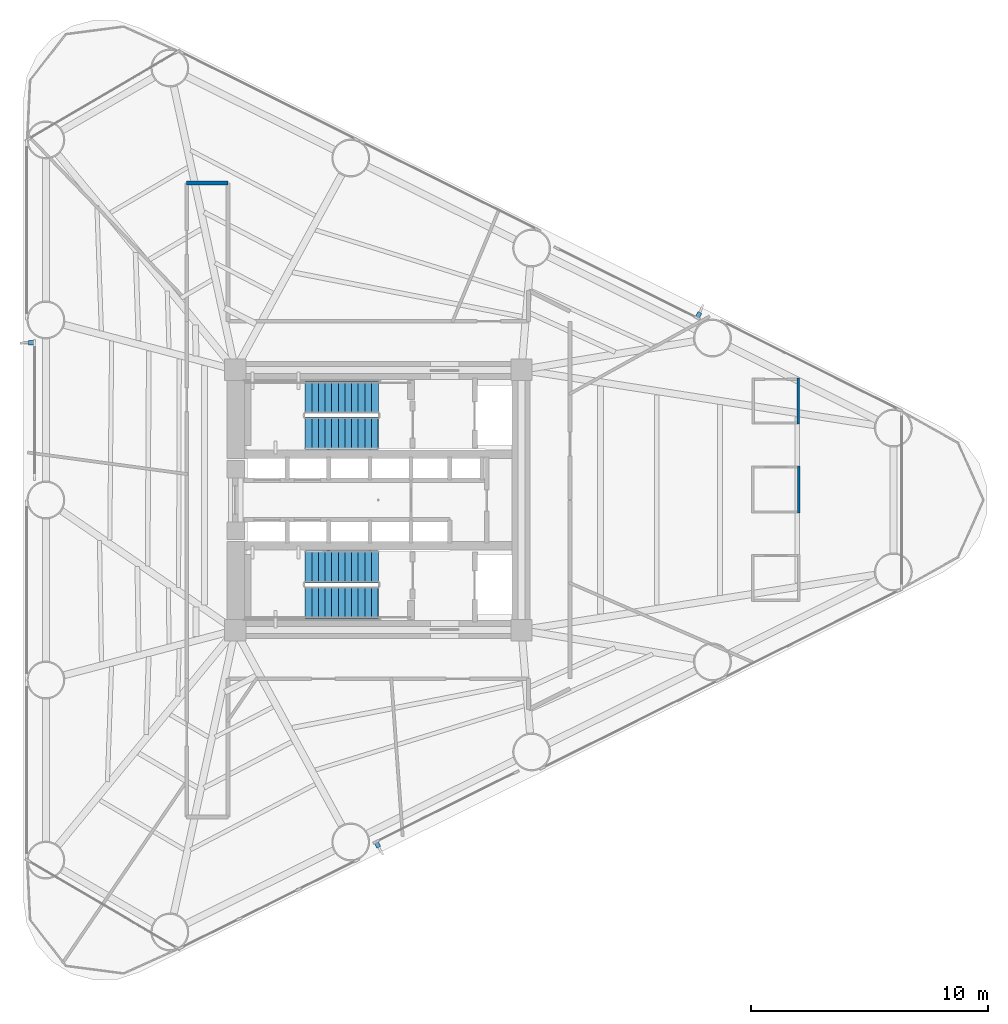
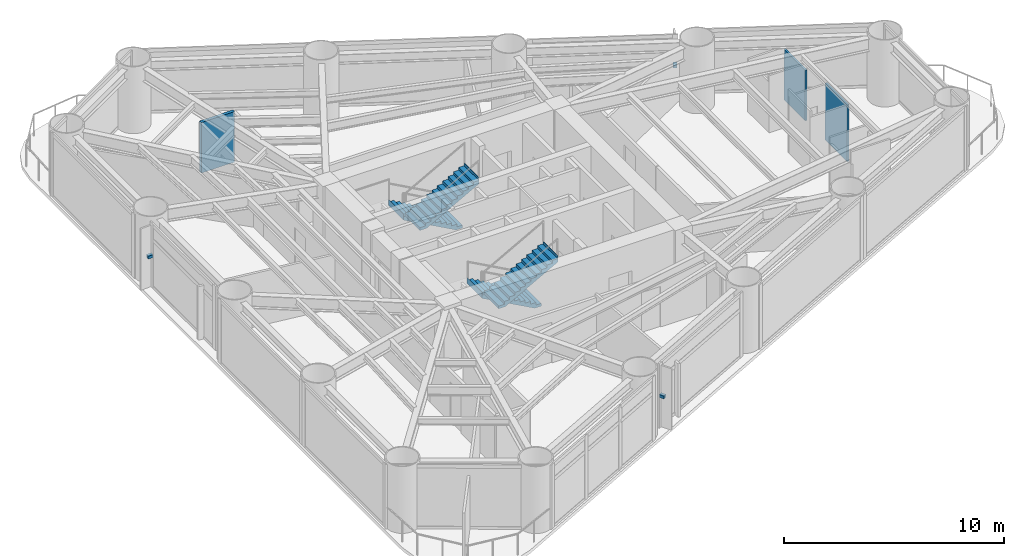
# One storey, part 7 of 10: 4 stair flights, 3 discrete accessories, 3 walls, 2 elements without a shape of their own.
"""IFC4 building model written with IfcOpenShell, lengths in metres."""

from ifc_helpers import new_model, si_unit, direction, frame, frame_2d, origin, origin_2d, place, context, subcontext, project, spatial, polyline, rectangle, outline, extrude, source, transform, mapped, material, layer, layer_set, type_object, element, aggregate, save


model = new_model("IFC4")

# Units and contexts
model_context = context("Model", 3, precision=1e-05, world=origin(), true_north=direction((0.0, 1.0)))
body_context = subcontext(model_context, "Body", "Model", "MODEL_VIEW")
ifc_project = project(units=[si_unit("LENGTHUNIT", "METRE"), si_unit("AREAUNIT", "SQUARE_METRE"), si_unit("VOLUMEUNIT", "CUBIC_METRE"), si_unit("PLANEANGLEUNIT", "RADIAN"), si_unit("MASSUNIT", "GRAM", prefix="KILO")], contexts=[model_context])

# Site, building, storey
site_placement = place(None, origin())
site = spatial("IfcSite", under=ifc_project, at=site_placement, CompositionType="ELEMENT")
building_placement = place(site_placement, origin())
building = spatial("IfcBuilding", under=site, at=building_placement, Name="Yunling Apex Tower", CompositionType="ELEMENT")
storey_placement = place(building_placement, frame((0.0, 0.0, 38.60009765625)))
storey = spatial("IfcBuildingStorey", under=building, at=storey_placement, Name="L11", CompositionType="ELEMENT", Elevation=38.60009765625)

# Walls
ifc_material_1 = material(Name="Gypsum board acoustic partition")
ifc_layer_1 = layer(ifc_material_1, 0.159912109375)
ifc_layer_set_1 = layer_set([ifc_layer_1], Name="Gypsum board acoustic partition")
wall_type_1 = type_object("IfcWallType", Name="WL-PRT-1", PredefinedType="PARTITIONING", material=ifc_layer_set_1)
wall_1_placement = place(storey_placement, frame((-8.10009765625, 13.39990234375, 0.0), z_axis=(0.0, 0.0, 1.0), x_axis=(1.0, 0.0, 0.0)))
element("IfcWall", 1, at=wall_1_placement, inside=storey, type_object=wall_type_1, Name="WL-CORR-L11-07", PredefinedType="PARTITIONING", context=body_context, shape_type="SweptSolid", body=[
    extrude(rectangle(XDim=1.75, YDim=0.159912109375, at=frame_2d((0.875, 0.0))), origin(), (0.0, 0.0, 1.0), 2.7998046875),
])
ifc_layer_2 = layer(ifc_material_1, 0.10009765625)
ifc_layer_set_2 = layer_set([ifc_layer_2], Name="Gypsum board acoustic partition")
wall_type_2 = type_object("IfcWallType", Name="WL-PRT-4", PredefinedType="PARTITIONING", material=ifc_layer_set_2)
wall_2_placement = place(storey_placement, frame((17.77001953125, 1.443115234375, 0.0), z_axis=(0.0, 0.0, 1.0), x_axis=(0.0, -1.0, 0.0)))
element("IfcWall", 2, at=wall_2_placement, inside=storey, type_object=wall_type_2, Name="WL-L11-WCME", PredefinedType="PARTITIONING", context=body_context, shape_type="SweptSolid", body=[
    extrude(rectangle(XDim=2.0, YDim=0.10009765625, at=frame_2d((1.0, 0.0))), origin(), (0.0, 0.0, 1.0), 3.14990234375),
])
wall_3_placement = place(storey_placement, frame((17.7451171875, 5.156005859375, 0.0), z_axis=(0.0, 0.0, 1.0), x_axis=(0.0, -1.0, 0.0)))
element("IfcWall", 3, at=wall_3_placement, inside=storey, type_object=wall_type_2, Name="WL-L11-WCAE", PredefinedType="PARTITIONING", context=body_context, shape_type="SweptSolid", body=[
    extrude(rectangle(XDim=1.949951171875, YDim=0.10009765625, at=frame_2d((0.97509765625, 0.0))), origin(), (0.0, 0.0, 1.0), 2.7998046875),
])

# Stair, stair flights
ifc_material_2 = material(Name="Concrete C40", Category="concrete")
stair_type = type_object("IfcStairType", Name="ST-TWR-1", PredefinedType="HALF_TURN_STAIR", material=ifc_material_2)
stair_1_placement = place(storey_placement, origin())
stair_1 = element("IfcStair", 4, at=stair_1_placement, inside=storey, type_object=stair_type, Name="L11 North Core Smokeproof Exit Stair ST-1", PredefinedType="HALF_TURN_STAIR")
stair_flight_type = type_object("IfcStairFlightType", Name="SFL-TWR-1", PredefinedType="STRAIGHT", material=ifc_material_2)
stair_flight_1_placement = place(storey_placement, frame((-0.010009765625, 4.330078125, 0.0), z_axis=(0.0, 0.0, 1.0), x_axis=(-1.0, 0.0, 0.0)))
stair_flight_1 = element("IfcStairFlight", 5, at=stair_flight_1_placement, type_object=stair_flight_type, Name="ST-1 flight 1", NumberOfRisers=12, NumberOfTreads=11, PredefinedType="STRAIGHT", RiserHeight=0.154166667, TreadLength=0.28, context=body_context, shape_type="SweptSolid", body=[
    extrude(outline(polyline([(-0.011962890625, 0.0), (-0.011962890625, 0.154052734375), (0.0, 0.154052734375), (0.280029296875, 0.154052734375), (0.280029296875, 0.308349609375), (0.56005859375, 0.308349609375), (0.56005859375, 0.46240234375), (0.840087890625, 0.46240234375), (0.840087890625, 0.61669921875), (1.1201171875, 0.61669921875), (1.1201171875, 0.770751953125), (1.39990234375, 0.770751953125), (1.39990234375, 0.925048828125), (1.679931640625, 0.925048828125), (1.679931640625, 1.0791015625), (1.9599609375, 1.0791015625), (1.9599609375, 1.2333984375), (2.239990234375, 1.2333984375), (2.239990234375, 1.387451171875), (2.52001953125, 1.387451171875), (2.52001953125, 1.541748046875), (2.800048828125, 1.541748046875), (2.800048828125, 1.69580078125), (3.080078125, 1.69580078125), (3.080078125, 1.85009765625), (3.092041015625, 1.85009765625), (3.092041015625, 1.51318359375), (0.33154296875, 0.0), (-0.011962890625, 0.0)])), frame((0.0, 0.68017578125, 0.0), z_axis=(0.0, -1.0, 0.0), x_axis=(1.0, 0.0, 0.0)), (0.0, 0.0, 1.0), 1.360107421875),
])
stair_flight_2_placement = place(storey_placement, frame((-3.090087890625, 2.820068359375, 1.849853515625), z_axis=(0.0, 0.0, 1.0), x_axis=(1.0, 0.0, 0.0)))
stair_flight_2 = element("IfcStairFlight", 6, at=stair_flight_2_placement, type_object=stair_flight_type, Name="ST-1 flight 2", NumberOfRisers=12, NumberOfTreads=11, PredefinedType="STRAIGHT", RiserHeight=0.154166667, TreadLength=0.28, context=body_context, shape_type="SweptSolid", body=[
    extrude(outline(polyline([(-0.011962890625, 0.0), (-0.011962890625, 0.154052734375), (0.0, 0.154052734375), (0.280029296875, 0.154052734375), (0.280029296875, 0.308349609375), (0.56005859375, 0.308349609375), (0.56005859375, 0.46240234375), (0.840087890625, 0.46240234375), (0.840087890625, 0.61669921875), (1.1201171875, 0.61669921875), (1.1201171875, 0.770751953125), (1.39990234375, 0.770751953125), (1.39990234375, 0.925048828125), (1.679931640625, 0.925048828125), (1.679931640625, 1.0791015625), (1.9599609375, 1.0791015625), (1.9599609375, 1.2333984375), (2.239990234375, 1.2333984375), (2.239990234375, 1.387451171875), (2.52001953125, 1.387451171875), (2.52001953125, 1.541748046875), (2.800048828125, 1.541748046875), (2.800048828125, 1.69580078125), (3.080078125, 1.69580078125), (3.080078125, 1.85009765625), (3.092041015625, 1.85009765625), (3.092041015625, 1.51318359375), (0.33154296875, 0.0), (-0.011962890625, 0.0)])), frame((0.0, 0.68017578125, 0.0), z_axis=(0.0, -1.0, 0.0), x_axis=(1.0, 0.0, 0.0)), (0.0, 0.0, 1.0), 1.360107421875),
])
aggregate(stair_1, [stair_flight_1, stair_flight_2])

stair_2_placement = place(storey_placement, origin())
stair_2 = element("IfcStair", 7, at=stair_2_placement, inside=storey, type_object=stair_type, Name="L11 South Core Smokeproof Exit Stair ST-2", PredefinedType="HALF_TURN_STAIR")
stair_flight_3_placement = place(storey_placement, frame((-0.010009765625, -2.820068359375, 0.0), z_axis=(0.0, 0.0, 1.0), x_axis=(-1.0, 0.0, 0.0)))
stair_flight_3 = element("IfcStairFlight", 8, at=stair_flight_3_placement, type_object=stair_flight_type, Name="ST-2 flight 1", NumberOfRisers=12, NumberOfTreads=11, PredefinedType="STRAIGHT", RiserHeight=0.154166667, TreadLength=0.28, context=body_context, shape_type="SweptSolid", body=[
    extrude(outline(polyline([(-0.011962890625, 0.0), (-0.011962890625, 0.154052734375), (0.0, 0.154052734375), (0.280029296875, 0.154052734375), (0.280029296875, 0.308349609375), (0.56005859375, 0.308349609375), (0.56005859375, 0.46240234375), (0.840087890625, 0.46240234375), (0.840087890625, 0.61669921875), (1.1201171875, 0.61669921875), (1.1201171875, 0.770751953125), (1.39990234375, 0.770751953125), (1.39990234375, 0.925048828125), (1.679931640625, 0.925048828125), (1.679931640625, 1.0791015625), (1.9599609375, 1.0791015625), (1.9599609375, 1.2333984375), (2.239990234375, 1.2333984375), (2.239990234375, 1.387451171875), (2.52001953125, 1.387451171875), (2.52001953125, 1.541748046875), (2.800048828125, 1.541748046875), (2.800048828125, 1.69580078125), (3.080078125, 1.69580078125), (3.080078125, 1.85009765625), (3.092041015625, 1.85009765625), (3.092041015625, 1.51318359375), (0.33154296875, 0.0), (-0.011962890625, 0.0)])), frame((0.0, 0.68017578125, 0.0), z_axis=(0.0, -1.0, 0.0), x_axis=(1.0, 0.0, 0.0)), (0.0, 0.0, 1.0), 1.360107421875),
])
stair_flight_4_placement = place(storey_placement, frame((-3.090087890625, -4.330078125, 1.849853515625), z_axis=(0.0, 0.0, 1.0), x_axis=(1.0, 0.0, 0.0)))
stair_flight_4 = element("IfcStairFlight", 9, at=stair_flight_4_placement, type_object=stair_flight_type, Name="ST-2 flight 2", NumberOfRisers=12, NumberOfTreads=11, PredefinedType="STRAIGHT", RiserHeight=0.154166667, TreadLength=0.28, context=body_context, shape_type="SweptSolid", body=[
    extrude(outline(polyline([(-0.011962890625, 0.0), (-0.011962890625, 0.154052734375), (0.0, 0.154052734375), (0.280029296875, 0.154052734375), (0.280029296875, 0.308349609375), (0.56005859375, 0.308349609375), (0.56005859375, 0.46240234375), (0.840087890625, 0.46240234375), (0.840087890625, 0.61669921875), (1.1201171875, 0.61669921875), (1.1201171875, 0.770751953125), (1.39990234375, 0.770751953125), (1.39990234375, 0.925048828125), (1.679931640625, 0.925048828125), (1.679931640625, 1.0791015625), (1.9599609375, 1.0791015625), (1.9599609375, 1.2333984375), (2.239990234375, 1.2333984375), (2.239990234375, 1.387451171875), (2.52001953125, 1.387451171875), (2.52001953125, 1.541748046875), (2.800048828125, 1.541748046875), (2.800048828125, 1.69580078125), (3.080078125, 1.69580078125), (3.080078125, 1.85009765625), (3.092041015625, 1.85009765625), (3.092041015625, 1.51318359375), (0.33154296875, 0.0), (-0.011962890625, 0.0)])), frame((0.0, 0.68017578125, 0.0), z_axis=(0.0, -1.0, 0.0), x_axis=(1.0, 0.0, 0.0)), (0.0, 0.0, 1.0), 1.360107421875),
])
aggregate(stair_2, [stair_flight_3, stair_flight_4])

# Discrete accessories
ifc_material_3 = material(Name="Steel Q355B", Category="steel")
discrete_accessory_type = type_object("IfcDiscreteAccessoryType", Name="BK-FIN-1", PredefinedType="BRACKET", material=ifc_material_3)
shared_shape = source(origin(), body_context, "Body", "SweptSolid", [
    extrude(rectangle(XDim=0.179931640625, YDim=0.260009765625, at=origin_2d()), origin(), (0.0, 0.0, 1.0), 0.159912109375),
])
for number, where, z_axis, x_axis, name in (
    (10, (-0.0380859375, -14.561279296875, 1.67724609375), (0.0, 0.0, 1.0), (0.895245648325, 0.445572922377, 0.0), "CW-L11-F1-B2-BRK-01-1"),
    (11, (13.527587890625, 7.8095703125, 1.67724609375), (0.0, 0.0, 1.0), (-0.895245648325, 0.445572922377, 0.0), "CW-L11-F2-B2-BRK-01-1"),
    (12, (-14.652099609375, 6.64697265625, 1.67724609375), (0.0, 0.0, 1.0), (0.0, -1.0, 0.0), "CW-L11-F3-B2-BRK-01-1"),
):
    element("IfcDiscreteAccessory", number, at=place(storey_placement, frame(where, z_axis=z_axis, x_axis=x_axis)), inside=storey, type_object=discrete_accessory_type, Name=name, PredefinedType="BRACKET", context=body_context, shape_type="MappedRepresentation", body=[
        mapped(shared_shape, transform((0.0, 0.0, 0.0), scale=1.0)),
    ])

save(model, "model.ifc")
